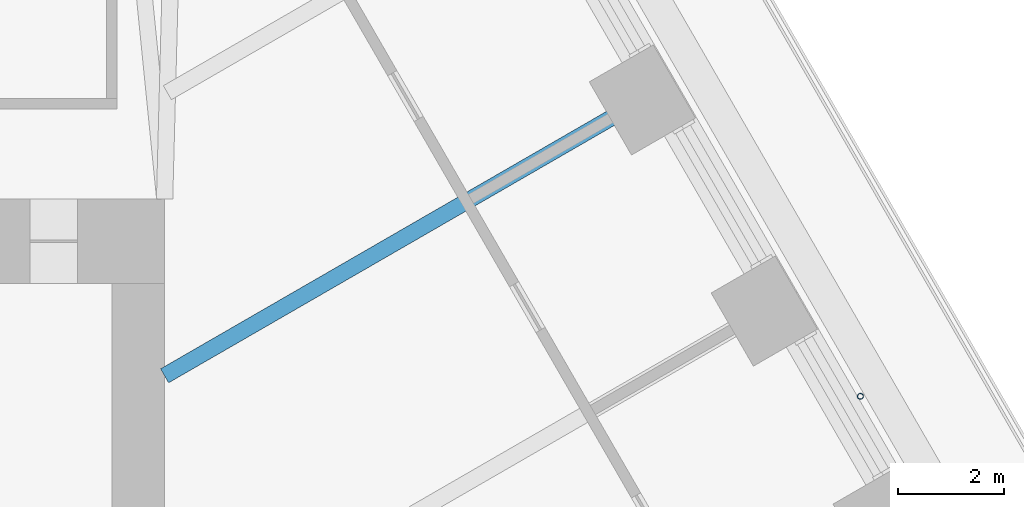
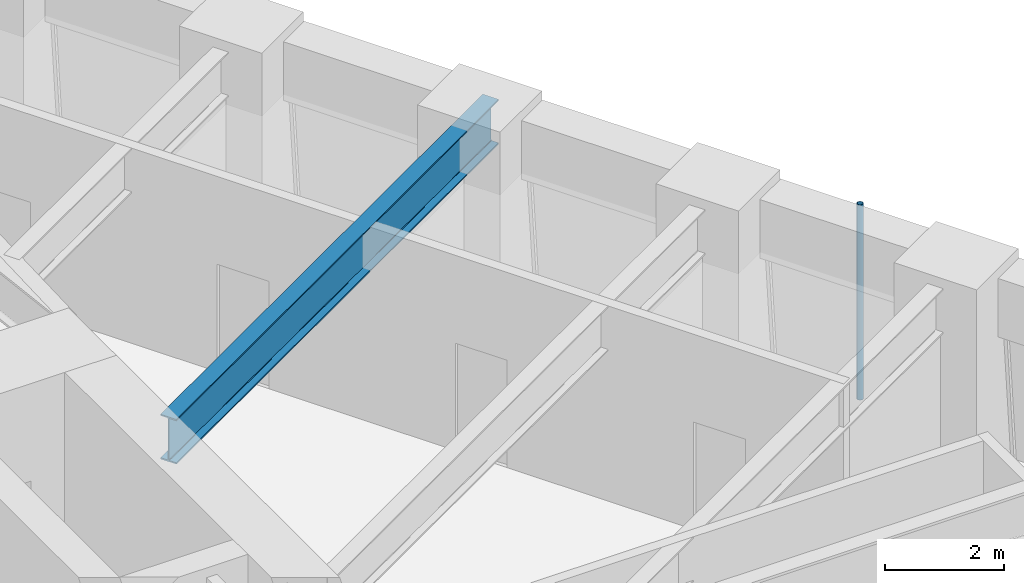
# One storey, part 10 of 20: 1 beam, 1 member.
"""IFC4 building model written with IfcOpenShell, lengths in metres."""

from ifc_helpers import new_model, si_unit, direction, frame, origin, origin_2d, place, context, subcontext, project, spatial, hollow_circle, i_section, extrude, material, material_profile, profile_set, type_object, element, save


model = new_model("IFC4")

# Units and contexts
model_context = context("Model", 3, precision=1e-05, world=origin(), true_north=direction((0.0, 1.0)))
body_context = subcontext(model_context, "Body", "Model", "MODEL_VIEW")
ifc_project = project(units=[si_unit("LENGTHUNIT", "METRE"), si_unit("AREAUNIT", "SQUARE_METRE"), si_unit("VOLUMEUNIT", "CUBIC_METRE"), si_unit("PLANEANGLEUNIT", "RADIAN"), si_unit("MASSUNIT", "GRAM", prefix="KILO")], contexts=[model_context])

# Site, building, storey
site_placement = place(None, origin())
site = spatial("IfcSite", under=ifc_project, at=site_placement, CompositionType="ELEMENT")
building_placement = place(site_placement, origin())
building = spatial("IfcBuilding", under=site, at=building_placement, Name="Tarfa Lantern Tower", CompositionType="ELEMENT")
storey_placement = place(building_placement, frame((0.0, 0.0, 232.300048828125)))
storey = spatial("IfcBuildingStorey", under=building, at=storey_placement, Name="L52", CompositionType="ELEMENT", Elevation=232.300048828125)

# Member
ifc_material_1 = material(Name="Steel S355", Category="steel")
ifc_material_profile_1 = material_profile(ifc_material_1, hollow_circle(Radius=0.05712890625, WallThickness=0.00634765625, at=origin_2d()), Name="CHS114.3x6.3")
ifc_profile_set_1 = profile_set([ifc_material_profile_1], Name="Steel S355")
member_type = type_object("IfcMemberType", Name="TR1 GREEN WALL TRELLIS CHS114.3x6.3", PredefinedType="USERDEFINED", material=ifc_profile_set_1)
member_placement = place(storey_placement, frame((28.682861328125, 8.56005859375, 0.0), z_axis=(0.0, 0.0, 1.0), x_axis=(1.0, 0.0, 0.0)))
element("IfcMember", 1, at=member_placement, inside=storey, type_object=member_type, Name="Trellis post NE 1", ObjectType="TRELLIS", PredefinedType="USERDEFINED", context=body_context, shape_type="SweptSolid", body=[
    extrude(hollow_circle(Radius=0.05712890625, WallThickness=0.00634765625, at=origin_2d()), origin(), (0.0, 0.0, 1.0), 4.0),
])

# Beam
ifc_material_2 = material(Name="Steel S460M", Category="steel")
ifc_material_profile_2 = material_profile(ifc_material_2, i_section(OverallWidth=0.305419921875, OverallDepth=0.91845703125, WebThickness=0.017333984375, FlangeThickness=0.02783203125, FilletRadius=0.01904296875, at=origin_2d()), Name="UB914x305x253")
ifc_profile_set_2 = profile_set([ifc_material_profile_2], Name="Steel S460M")
beam_type = type_object("IfcBeamType", Name="UB914x305x253", PredefinedType="BEAM", material=ifc_profile_set_2)
beam_placement = place(storey_placement, frame((24.872314453125, 14.360107421875, 3.540771484375), z_axis=(-0.8660244219, -0.500001700669, 0.0), x_axis=(0.500001700669, -0.8660244219, 0.0)))
element("IfcBeam", 2, at=beam_placement, inside=storey, type_object=beam_type, Name="Floor beam NE3", PredefinedType="BEAM", context=body_context, shape_type="SweptSolid", body=[
    extrude(i_section(OverallWidth=0.305419921875, OverallDepth=0.91845703125, WebThickness=0.017333984375, FlangeThickness=0.02783203125, FilletRadius=0.01904296875, at=origin_2d()), origin(), (0.0, 0.0, 1.0), 10.822265625),
])

save(model, "model.ifc")
